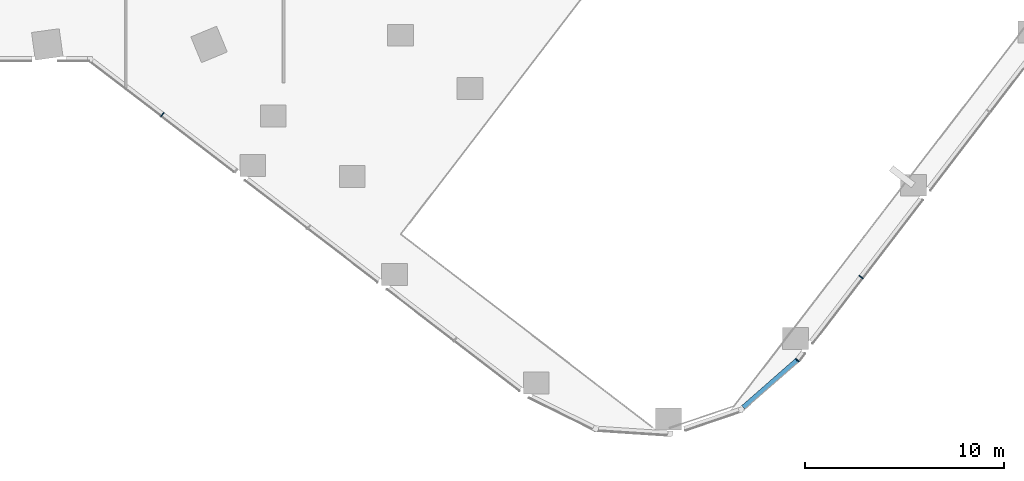
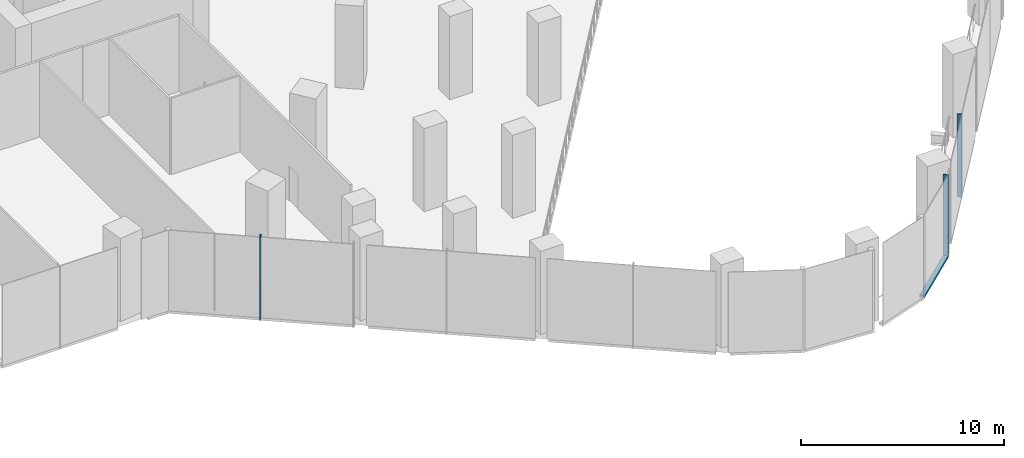
# One storey, part 7 of 29: 4 members, 3 elements without a shape of their own.
"""IFC4 building model written with IfcOpenShell, lengths in metres."""

from ifc_helpers import new_model, si_unit, direction, frame, origin, origin_2d, place, context, subcontext, project, spatial, rectangle, extrude, material, material_profile, profile_set, type_object, element, aggregate, save


model = new_model("IFC4")

# Units and contexts
model_context = context("Model", 3, precision=1e-05, world=origin(), true_north=direction((0.0, 1.0)))
body_context = subcontext(model_context, "Body", "Model", "MODEL_VIEW")
ifc_project = project(units=[si_unit("LENGTHUNIT", "METRE"), si_unit("AREAUNIT", "SQUARE_METRE"), si_unit("VOLUMEUNIT", "CUBIC_METRE"), si_unit("PLANEANGLEUNIT", "RADIAN"), si_unit("MASSUNIT", "GRAM", prefix="KILO")], contexts=[model_context])

# Site, building, storey
site_placement = place(None, origin())
site = spatial("IfcSite", under=ifc_project, at=site_placement, CompositionType="ELEMENT")
building_placement = place(site_placement, origin())
building = spatial("IfcBuilding", under=site, at=building_placement, Name="Orlundy Tower", CompositionType="ELEMENT")
storey_placement = place(building_placement, frame((0.0, 0.0, 15.5)))
storey = spatial("IfcBuildingStorey", under=building, at=storey_placement, Name="L02", CompositionType="ELEMENT", Elevation=15.5)

# Curtain wall, member
ifc_material_1 = material(Name="Aluminium bronze anodised", Category="aluminium")
curtain_wall_type = type_object("IfcCurtainWallType", Name="CW2 wall", PredefinedType="NOTDEFINED", material=ifc_material_1)
curtain_wall_1_placement = place(storey_placement, origin())
curtain_wall_1 = element("IfcCurtainWall", 1, at=curtain_wall_1_placement, inside=storey, type_object=curtain_wall_type, Name="CW2 run 00", PredefinedType="NOTDEFINED")
ifc_material_2 = material(Name="Aluminium bronze anodised", Category="aluminium")
ifc_material_profile_1 = material_profile(ifc_material_2, rectangle(XDim=0.25, YDim=0.050048828125, at=origin_2d()), Name="CW2 mullion 50x250")
ifc_profile_set_1 = profile_set([ifc_material_profile_1], Name="Aluminium bronze anodised")
member_type_1 = type_object("IfcMemberType", Name="CW2 mullion 50x250", PredefinedType="MULLION", material=ifc_profile_set_1)
member_1_placement = place(storey_placement, frame((9.8408203125, -32.918212890625, -0.39990234375), z_axis=(0.0, 0.0, 1.0), x_axis=(-0.60875715215, -0.793356622022, 0.0)))
member_1 = element("IfcMember", 2, at=member_1_placement, type_object=member_type_1, Name="CW2 mullion 6", PredefinedType="MULLION", context=body_context, shape_type="SweptSolid", body=[
    extrude(rectangle(XDim=0.25, YDim=0.050048828125, at=origin_2d()), origin(), (0.0, 0.0, 1.0), 5.0),
])
aggregate(curtain_wall_1, [member_1])

curtain_wall_2_placement = place(storey_placement, origin())
curtain_wall_2 = element("IfcCurtainWall", 3, at=curtain_wall_2_placement, inside=storey, type_object=curtain_wall_type, Name="CW2 run 023", PredefinedType="NOTDEFINED")
member_2_placement = place(storey_placement, frame((44.901123046875, -41.071044921875, -0.39990234375), z_axis=(0.0, 0.0, 1.0), x_axis=(0.793345695949, -0.60877139118, 0.0)))
member_2 = element("IfcMember", 4, at=member_2_placement, type_object=member_type_1, Name="CW2 mullion 64", PredefinedType="MULLION", context=body_context, shape_type="SweptSolid", body=[
    extrude(rectangle(XDim=0.25, YDim=0.050048828125, at=origin_2d()), origin(), (0.0, 0.0, 1.0), 5.0),
])
aggregate(curtain_wall_2, [member_2])

# Curtain wall, members
curtain_wall_3_placement = place(storey_placement, origin())
curtain_wall_3 = element("IfcCurtainWall", 5, at=curtain_wall_3_placement, inside=storey, type_object=curtain_wall_type, Name="CW2 run 024", PredefinedType="NOTDEFINED")
member_3_placement = place(storey_placement, frame((41.69775390625, -45.245849609375, -0.39990234375), z_axis=(0.0, 0.0, 1.0), x_axis=(0.729850532445, -0.683606758517, 0.0)))
member_3 = element("IfcMember", 6, at=member_3_placement, type_object=member_type_1, Name="CW2 mullion 65", PredefinedType="MULLION", context=body_context, shape_type="SweptSolid", body=[
    extrude(rectangle(XDim=0.25, YDim=0.050048828125, at=origin_2d()), origin(), (0.0, 0.0, 1.0), 5.0),
])
ifc_material_3 = material(Name="Aluminium bronze anodised", Category="aluminium")
ifc_material_profile_2 = material_profile(ifc_material_3, rectangle(XDim=0.25, YDim=0.14990234375, at=origin_2d()), Name="CW2 transom 250x150")
ifc_profile_set_2 = profile_set([ifc_material_profile_2], Name="Aluminium bronze anodised")
member_type_2 = type_object("IfcMemberType", Name="CW2 transom 250x150", PredefinedType="USERDEFINED", material=ifc_profile_set_2)
member_4_placement = place(storey_placement, frame((41.6787109375, -45.262451171875, -0.324951171875), z_axis=(-0.751850352577, -0.659333790526, 0.0), x_axis=(0.659333790526, -0.751850352577, 0.0)))
member_4 = element("IfcMember", 7, at=member_4_placement, type_object=member_type_2, Name="CW2 transom", ObjectType="TRANSOM", PredefinedType="USERDEFINED", context=body_context, shape_type="SweptSolid", body=[
    extrude(rectangle(XDim=0.25, YDim=0.14990234375, at=origin_2d()), origin(), (0.0, 0.0, 1.0), 3.58349609375),
])
aggregate(curtain_wall_3, [member_3, member_4])

save(model, "model.ifc")
